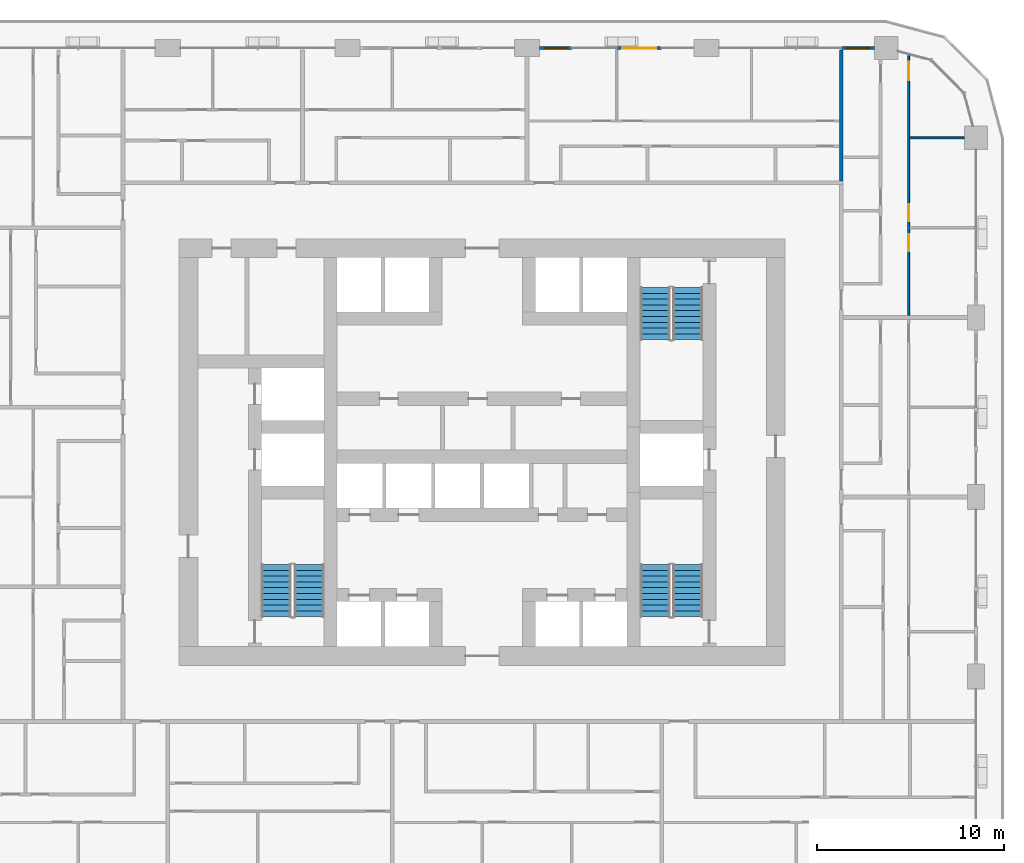
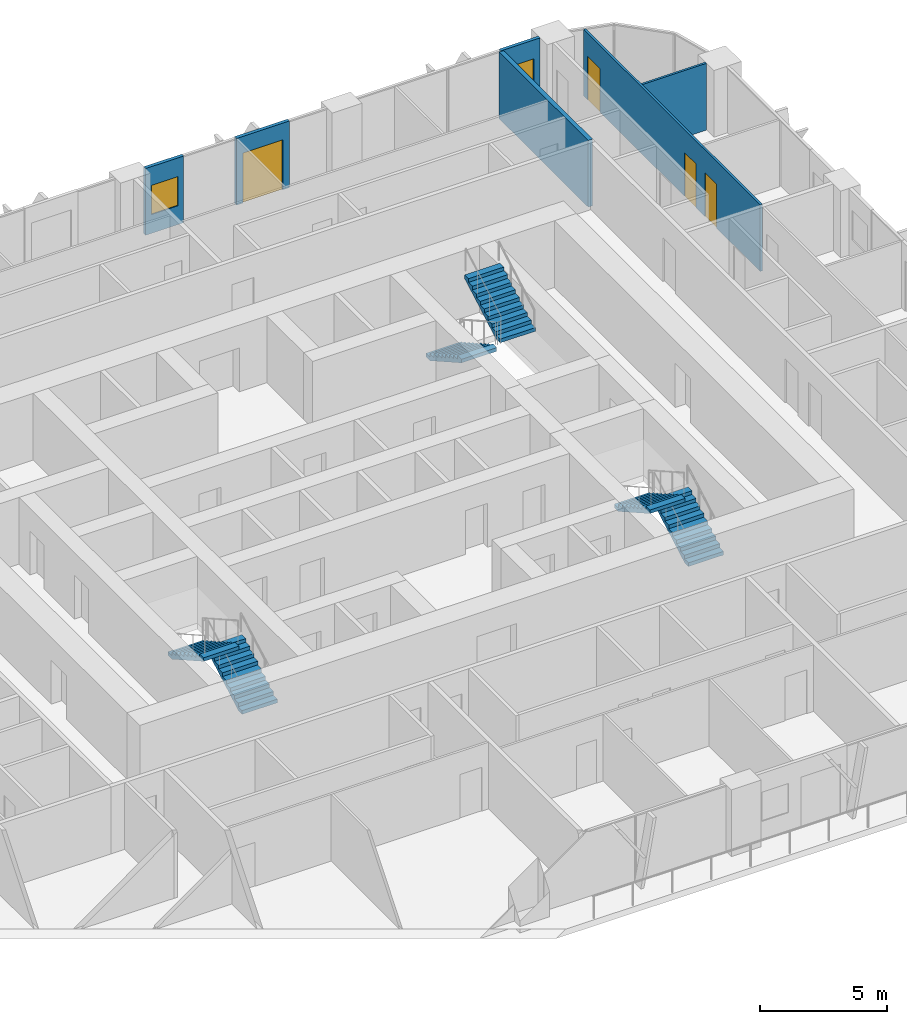
# One storey, part 15 of 21: 6 stair flights, 6 walls, 4 doors, 2 windows, 6 openings, 3 elements without a shape of their own.
"""IFC4 building model written with IfcOpenShell, lengths in metres."""

from ifc_helpers import new_model, si_unit, direction, frame, frame_2d, origin, place, context, subcontext, project, spatial, polyline, rectangle, outline, extrude, material, layer, layer_set, type_object, element, fill, aggregate, save


model = new_model("IFC4")

# Units and contexts
model_context = context("Model", 3, precision=1e-05, world=origin(), true_north=direction((0.0, 1.0)))
body_context = subcontext(model_context, "Body", "Model", "MODEL_VIEW")
ifc_project = project(units=[si_unit("LENGTHUNIT", "METRE"), si_unit("AREAUNIT", "SQUARE_METRE"), si_unit("VOLUMEUNIT", "CUBIC_METRE"), si_unit("PLANEANGLEUNIT", "RADIAN"), si_unit("MASSUNIT", "GRAM", prefix="KILO")], contexts=[model_context])

# Site, building, storey
site_placement = place(None, origin())
site = spatial("IfcSite", under=ifc_project, at=site_placement, CompositionType="ELEMENT")
building_placement = place(site_placement, origin())
building = spatial("IfcBuilding", under=site, at=building_placement, Name="Madar Terraces", CompositionType="ELEMENT")
storey_placement = place(building_placement, frame((0.0, 0.0, 43.39990234375)))
storey = spatial("IfcBuildingStorey", under=building, at=storey_placement, Name="L10", CompositionType="ELEMENT", Elevation=43.39990234375)

# Wall, opening, window
ifc_material_1 = material(Name="Aluminium composite panel, black, over insulated backing", Category="aluminium")
ifc_layer_1 = layer(ifc_material_1, 0.14990234375)
ifc_layer_set_1 = layer_set([ifc_layer_1], Name="Facade bay panel 150")
wall_type_1 = type_object("IfcWallType", Name="Facade bay panel 150", PredefinedType="SOLIDWALL", material=ifc_layer_set_1)
wall_1_placement = place(storey_placement, frame((52.175048828125, 48.0, 0.0), z_axis=(0.0, 0.0, 1.0), x_axis=(-1.0, 0.0, 0.0)))
wall_1 = element("IfcWall", 1, at=wall_1_placement, inside=storey, type_object=wall_type_1, Name="Facade bay panel", PredefinedType="SOLIDWALL", context=body_context, shape_type="SweptSolid", body=[
    extrude(rectangle(XDim=1.775146484375, YDim=0.14990234375, at=frame_2d((0.8876953125, 0.0))), origin(), (0.0, 0.0, 1.0), 3.2001953125),
])
opening_1_placement = place(wall_1_placement, frame((0.28759765625, 0.0, 0.89990234375)))
opening_1 = element("IfcOpeningElement", 2, at=opening_1_placement, cuts=wall_1, Name="Opening W1", PredefinedType="OPENING", context=body_context, shape_type="SweptSolid", body=[
    extrude(rectangle(XDim=1.199951171875, YDim=1.39990234375, at=frame_2d((0.60009765625, 0.699951171875))), frame((0.0, 0.0849609375, 0.0), z_axis=(0.0, -1.0, 0.0), x_axis=(1.0, 0.0, 0.0)), (0.0, 0.0, 1.0), 0.169921875),
])
ifc_material_2 = material(Name="Glass, clear, with black aluminium frame", Category="aluminium")
window_type = type_object("IfcWindowType", Name="Vent window 1200 x 1400", PartitioningType="SINGLE_PANEL", PredefinedType="WINDOW", material=ifc_material_2)
window_1_placement = place(opening_1_placement, origin())
window_1 = element("IfcWindow", 3, at=window_1_placement, inside=storey, type_object=window_type, Name="Operable vent window", OverallHeight=1.39990234375, OverallWidth=1.199951171875, PartitioningType="SINGLE_PANEL", PredefinedType="WINDOW", context=body_context, shape_type="SweptSolid", body=[
    extrude(rectangle(XDim=1.199951171875, YDim=1.39990234375, at=frame_2d((0.60009765625, 0.699951171875))), frame((0.0, 0.030029296875, 0.0), z_axis=(0.0, -1.0, 0.0), x_axis=(1.0, 0.0, 0.0)), (0.0, 0.0, 1.0), 0.06005859375),
])
fill(opening_1, window_1)

# Wall, opening, door
wall_2_placement = place(storey_placement, frame((40.800048828125, 48.0, 0.0), z_axis=(0.0, 0.0, 1.0), x_axis=(-1.0, 0.0, 0.0)))
wall_2 = element("IfcWall", 4, at=wall_2_placement, inside=storey, type_object=wall_type_1, Name="Facade bay panel", PredefinedType="SOLIDWALL", context=body_context, shape_type="SweptSolid", body=[
    extrude(rectangle(XDim=2.400146484375, YDim=0.14990234375, at=frame_2d((1.2001953125, 0.0))), origin(), (0.0, 0.0, 1.0), 3.2001953125),
])
opening_2_placement = place(wall_2_placement, frame((0.300048828125, 0.0, 0.0)))
opening_2 = element("IfcOpeningElement", 5, at=opening_2_placement, cuts=wall_2, Name="Opening ED1", PredefinedType="OPENING", context=body_context, shape_type="SweptSolid", body=[
    extrude(rectangle(XDim=1.800048828125, YDim=2.39990234375, at=frame_2d((0.89990234375, 1.199951171875))), frame((0.0, 0.0849609375, 0.0), z_axis=(0.0, -1.0, 0.0), x_axis=(1.0, 0.0, 0.0)), (0.0, 0.0, 1.0), 0.169921875),
])
ifc_material_3 = material(Name="Glass, clear, with black aluminium frame", Category="aluminium")
door_type_1 = type_object("IfcDoorType", Name="Balcony and terrace sliding door 1800 x 2400", OperationType="SLIDING_TO_LEFT", PredefinedType="DOOR", material=ifc_material_3)
door_1_placement = place(opening_2_placement, origin())
door_1 = element("IfcDoor", 6, at=door_1_placement, inside=storey, type_object=door_type_1, Name="Balcony door", OperationType="SLIDING_TO_RIGHT", OverallHeight=2.39990234375, OverallWidth=1.800048828125, PredefinedType="DOOR", context=body_context, shape_type="SweptSolid", body=[
    extrude(rectangle(XDim=1.800048828125, YDim=2.39990234375, at=frame_2d((0.89990234375, 1.199951171875))), frame((0.0, 0.02490234375, 0.0), z_axis=(0.0, -1.0, 0.0), x_axis=(1.0, 0.0, 0.0)), (0.0, 0.0, 1.0), 0.050048828125),
])
fill(opening_2, door_1)

# Wall, opening, window
wall_3_placement = place(storey_placement, frame((36.0, 48.0, 0.0), z_axis=(0.0, 0.0, 1.0), x_axis=(-1.0, 0.0, 0.0)))
wall_3 = element("IfcWall", 7, at=wall_3_placement, inside=storey, type_object=wall_type_1, Name="Facade bay panel", PredefinedType="SOLIDWALL", context=body_context, shape_type="SweptSolid", body=[
    extrude(rectangle(XDim=1.72509765625, YDim=0.14990234375, at=frame_2d((0.862548828125, 0.0))), origin(), (0.0, 0.0, 1.0), 3.2001953125),
])
opening_3_placement = place(wall_3_placement, frame((0.262451171875, 0.0, 0.89990234375)))
opening_3 = element("IfcOpeningElement", 8, at=opening_3_placement, cuts=wall_3, Name="Opening W1", PredefinedType="OPENING", context=body_context, shape_type="SweptSolid", body=[
    extrude(rectangle(XDim=1.199951171875, YDim=1.39990234375, at=frame_2d((0.60009765625, 0.699951171875))), frame((0.0, 0.0849609375, 0.0), z_axis=(0.0, -1.0, 0.0), x_axis=(1.0, 0.0, 0.0)), (0.0, 0.0, 1.0), 0.169921875),
])
window_2_placement = place(opening_3_placement, origin())
window_2 = element("IfcWindow", 9, at=window_2_placement, inside=storey, type_object=window_type, Name="Operable vent window", OverallHeight=1.39990234375, OverallWidth=1.199951171875, PartitioningType="SINGLE_PANEL", PredefinedType="WINDOW", context=body_context, shape_type="SweptSolid", body=[
    extrude(rectangle(XDim=1.199951171875, YDim=1.39990234375, at=frame_2d((0.60009765625, 0.699951171875))), frame((0.0, 0.030029296875, 0.0), z_axis=(0.0, -1.0, 0.0), x_axis=(1.0, 0.0, 0.0)), (0.0, 0.0, 1.0), 0.06005859375),
])
fill(opening_3, window_2)

# Wall
ifc_material_4 = material(Name="Gypsum board on steel studs", Category="steel")
ifc_layer_2 = layer(ifc_material_4, 0.10009765625)
ifc_layer_set_2 = layer_set([ifc_layer_2], Name="Flat partition 100")
wall_type_2 = type_object("IfcWallType", Name="Flat partition 100", PredefinedType="PARTITIONING", material=ifc_layer_set_2)
wall_4_placement = place(storey_placement, frame((54.050048828125, 43.199951171875, 0.0), z_axis=(0.0, 0.0, 1.0), x_axis=(1.0, 0.0, 0.0)))
element("IfcWall", 10, at=wall_4_placement, inside=storey, type_object=wall_type_2, Name="Flat partition 100", PredefinedType="PARTITIONING", context=body_context, shape_type="SweptSolid", body=[
    extrude(rectangle(XDim=2.925048828125, YDim=0.10009765625, at=frame_2d((1.46240234375, 0.0))), origin(), (0.0, 0.0, 1.0), 3.2001953125),
])

# Wall, openings, doors
wall_5_placement = place(storey_placement, frame((54.0, 47.57861328125, 0.0), z_axis=(0.0, 0.0, 1.0), x_axis=(0.0, -1.0, 0.0)))
wall_5 = element("IfcWall", 11, at=wall_5_placement, inside=storey, type_object=wall_type_2, Name="Flat partition 100", PredefinedType="PARTITIONING", context=body_context, shape_type="SweptSolid", body=[
    extrude(rectangle(XDim=13.878662109375, YDim=0.10009765625, at=frame_2d((6.939453125, 0.0))), origin(), (0.0, 0.0, 1.0), 3.2001953125),
])
opening_4_placement = place(wall_5_placement, frame((9.528564453125, 0.0, 0.0)))
opening_4 = element("IfcOpeningElement", 12, at=opening_4_placement, cuts=wall_5, Name="Opening D2", PredefinedType="OPENING", context=body_context, shape_type="SweptSolid", body=[
    extrude(rectangle(XDim=0.89990234375, YDim=2.10009765625, at=frame_2d((0.449951171875, 1.050048828125))), frame((0.0, 0.06005859375, 0.0), z_axis=(0.0, -1.0, 0.0), x_axis=(1.0, 0.0, 0.0)), (0.0, 0.0, 1.0), 0.1201171875),
])
opening_5_placement = place(wall_5_placement, frame((7.928466796875, 0.0, 0.0)))
opening_5 = element("IfcOpeningElement", 13, at=opening_5_placement, cuts=wall_5, Name="Opening D2", PredefinedType="OPENING", context=body_context, shape_type="SweptSolid", body=[
    extrude(rectangle(XDim=0.89990234375, YDim=2.10009765625, at=frame_2d((0.449951171875, 1.050048828125))), frame((0.0, 0.06005859375, 0.0), z_axis=(0.0, -1.0, 0.0), x_axis=(1.0, 0.0, 0.0)), (0.0, 0.0, 1.0), 0.1201171875),
])
opening_6_placement = place(wall_5_placement, frame((0.300048828125, 0.0, 0.0)))
opening_6 = element("IfcOpeningElement", 14, at=opening_6_placement, cuts=wall_5, Name="Opening D3", PredefinedType="OPENING", context=body_context, shape_type="SweptSolid", body=[
    extrude(rectangle(XDim=1.0, YDim=2.10009765625, at=frame_2d((0.5, 1.050048828125))), frame((0.0, 0.06005859375, 0.0), z_axis=(0.0, -1.0, 0.0), x_axis=(1.0, 0.0, 0.0)), (0.0, 0.0, 1.0), 0.1201171875),
])
ifc_material_5 = material(Name="Timber door leaf", Category="wood")
door_type_2 = type_object("IfcDoorType", Name="Flat living room door 1000", OperationType="NOTDEFINED", PredefinedType="DOOR", material=ifc_material_5)
door_2_placement = place(opening_6_placement, origin())
door_2 = element("IfcDoor", 15, at=door_2_placement, inside=storey, type_object=door_type_2, Name="Flat living room door 1000", OperationType="SINGLE_SWING_LEFT", OverallHeight=2.10009765625, OverallWidth=1.0, PredefinedType="DOOR", context=body_context, shape_type="SweptSolid", body=[
    extrude(rectangle(XDim=1.0, YDim=2.10009765625, at=frame_2d((0.5, 1.050048828125))), frame((0.0, 0.02490234375, 0.0), z_axis=(0.0, -1.0, 0.0), x_axis=(1.0, 0.0, 0.0)), (0.0, 0.0, 1.0), 0.050048828125),
])
fill(opening_6, door_2)
ifc_material_6 = material(Name="Timber door leaf", Category="wood")
door_type_3 = type_object("IfcDoorType", Name="Flat room door 900", OperationType="NOTDEFINED", PredefinedType="DOOR", material=ifc_material_6)
door_3_placement = place(opening_4_placement, origin())
door_3 = element("IfcDoor", 16, at=door_3_placement, inside=storey, type_object=door_type_3, Name="Flat room door 900", OperationType="SINGLE_SWING_LEFT", OverallHeight=2.10009765625, OverallWidth=0.89990234375, PredefinedType="DOOR", context=body_context, shape_type="SweptSolid", body=[
    extrude(rectangle(XDim=0.89990234375, YDim=2.10009765625, at=frame_2d((0.449951171875, 1.050048828125))), frame((0.0, 0.02490234375, 0.0), z_axis=(0.0, -1.0, 0.0), x_axis=(1.0, 0.0, 0.0)), (0.0, 0.0, 1.0), 0.050048828125),
])
fill(opening_4, door_3)
door_4_placement = place(opening_5_placement, origin())
door_4 = element("IfcDoor", 17, at=door_4_placement, inside=storey, type_object=door_type_3, Name="Flat room door 900", OperationType="SINGLE_SWING_RIGHT", OverallHeight=2.10009765625, OverallWidth=0.89990234375, PredefinedType="DOOR", context=body_context, shape_type="SweptSolid", body=[
    extrude(rectangle(XDim=0.89990234375, YDim=2.10009765625, at=frame_2d((0.449951171875, 1.050048828125))), frame((0.0, 0.02490234375, 0.0), z_axis=(0.0, -1.0, 0.0), x_axis=(1.0, 0.0, 0.0)), (0.0, 0.0, 1.0), 0.050048828125),
])
fill(opening_5, door_4)

# Wall
ifc_material_7 = material(Name="Lightweight blockwork", Category="masonry")
ifc_layer_3 = layer(ifc_material_7, 0.199951171875)
ifc_layer_set_3 = layer_set([ifc_layer_3], Name="Flat party and entrance wall 200")
wall_type_3 = type_object("IfcWallType", Name="Flat party and entrance wall 200", PredefinedType="PARTITIONING", material=ifc_layer_set_3)
wall_6_placement = place(storey_placement, frame((50.39990234375, 40.89990234375, 0.0), z_axis=(0.0, 0.0, 1.0), x_axis=(0.0, 1.0, 0.0)))
element("IfcWall", 18, at=wall_6_placement, inside=storey, type_object=wall_type_3, Name="Flat party and entrance wall 200", PredefinedType="PARTITIONING", context=body_context, shape_type="SweptSolid", body=[
    extrude(rectangle(XDim=7.0, YDim=0.199951171875, at=frame_2d((3.5, 0.0))), origin(), (0.0, 0.0, 1.0), 3.2001953125),
])

# Stair, stair flights
ifc_material_8 = material(Name="Concrete C50/60", Category="concrete")
stair_type_1 = type_object("IfcStairType", Name="Stair ST1 protected exit", PredefinedType="HALF_TURN_STAIR", material=ifc_material_8)
stair_1_placement = place(storey_placement, origin())
stair_1 = element("IfcStair", 19, at=stair_1_placement, inside=storey, type_object=stair_type_1, Name="L10 Protected Exit Stair ST1", PredefinedType="HALF_TURN_STAIR")
ifc_material_9 = material(Name="Concrete C50/60", Category="concrete")
stair_flight_type_1 = type_object("IfcStairFlightType", Name="Stair flight ST1-F4, 1600 wide, 10 risers", PredefinedType="STRAIGHT", material=ifc_material_9)
stair_flight_1_placement = place(storey_placement, frame((21.949951171875, 17.60009765625, 0.0), z_axis=(0.0, 0.0, 1.0), x_axis=(0.0, 1.0, 0.0)))
stair_flight_1 = element("IfcStairFlight", 20, at=stair_flight_1_placement, type_object=stair_flight_type_1, Name="ST1 flight 1", NumberOfRisers=10, NumberOfTreads=9, PredefinedType="STRAIGHT", RiserHeight=0.175, TreadLength=0.31, context=body_context, shape_type="SweptSolid", body=[
    extrude(outline(polyline([(0.0, 0.0), (0.0, 0.175048828125), (0.31005859375, 0.175048828125), (0.31005859375, 0.35009765625), (0.6201171875, 0.35009765625), (0.6201171875, 0.52490234375), (0.929931640625, 0.52490234375), (0.929931640625, 0.699951171875), (1.239990234375, 0.699951171875), (1.239990234375, 0.875), (1.550048828125, 0.875), (1.550048828125, 1.050048828125), (1.860107421875, 1.050048828125), (1.860107421875, 1.22509765625), (2.169921875, 1.22509765625), (2.169921875, 1.39990234375), (2.47998046875, 1.39990234375), (2.47998046875, 1.574951171875), (2.7900390625, 1.574951171875), (2.7900390625, 1.75), (2.7900390625, 1.40283203125), (0.304931640625, 0.0), (0.0, 0.0)])), frame((0.0, 0.800048828125, 0.0), z_axis=(0.0, -1.0, 0.0), x_axis=(1.0, 0.0, 0.0)), (0.0, 0.0, 1.0), 1.60009765625),
])
stair_flight_2_placement = place(storey_placement, frame((20.199951171875, 20.389892578125, 1.75), z_axis=(0.0, 0.0, 1.0), x_axis=(0.0, -1.0, 0.0)))
stair_flight_2 = element("IfcStairFlight", 21, at=stair_flight_2_placement, type_object=stair_flight_type_1, Name="ST1 flight 2", NumberOfRisers=10, NumberOfTreads=9, PredefinedType="STRAIGHT", RiserHeight=0.175, TreadLength=0.31, context=body_context, shape_type="SweptSolid", body=[
    extrude(outline(polyline([(0.0, 0.0), (0.0, 0.175048828125), (0.31005859375, 0.175048828125), (0.31005859375, 0.35009765625), (0.6201171875, 0.35009765625), (0.6201171875, 0.52490234375), (0.929931640625, 0.52490234375), (0.929931640625, 0.699951171875), (1.239990234375, 0.699951171875), (1.239990234375, 0.875), (1.550048828125, 0.875), (1.550048828125, 1.050048828125), (1.860107421875, 1.050048828125), (1.860107421875, 1.22509765625), (2.169921875, 1.22509765625), (2.169921875, 1.39990234375), (2.47998046875, 1.39990234375), (2.47998046875, 1.574951171875), (2.7900390625, 1.574951171875), (2.7900390625, 1.75), (2.7900390625, 1.40283203125), (0.304931640625, 0.0), (0.0, 0.0)])), frame((0.0, 0.800048828125, 0.0), z_axis=(0.0, -1.0, 0.0), x_axis=(1.0, 0.0, 0.0)), (0.0, 0.0, 1.0), 1.60009765625),
])
aggregate(stair_1, [stair_flight_1, stair_flight_2])

ifc_material_10 = material(Name="Concrete C50/60", Category="concrete")
stair_type_2 = type_object("IfcStairType", Name="Stair ST2 protected exit", PredefinedType="HALF_TURN_STAIR", material=ifc_material_10)
stair_2_placement = place(storey_placement, origin())
stair_2 = element("IfcStair", 22, at=stair_2_placement, inside=storey, type_object=stair_type_2, Name="L10 Protected Exit Stair ST2", PredefinedType="HALF_TURN_STAIR")
ifc_material_11 = material(Name="Concrete C50/60", Category="concrete")
stair_flight_type_2 = type_object("IfcStairFlightType", Name="Stair flight ST2-F4, 1600 wide, 10 risers", PredefinedType="STRAIGHT", material=ifc_material_11)
stair_flight_3_placement = place(storey_placement, frame((40.449951171875, 35.199951171875, 0.0), z_axis=(0.0, 0.0, 1.0), x_axis=(0.0, -1.0, 0.0)))
stair_flight_3 = element("IfcStairFlight", 23, at=stair_flight_3_placement, type_object=stair_flight_type_2, Name="ST2 flight 1", NumberOfRisers=10, NumberOfTreads=9, PredefinedType="STRAIGHT", RiserHeight=0.175, TreadLength=0.31, context=body_context, shape_type="SweptSolid", body=[
    extrude(outline(polyline([(0.0, 0.0), (0.0, 0.175048828125), (0.31005859375, 0.175048828125), (0.31005859375, 0.35009765625), (0.6201171875, 0.35009765625), (0.6201171875, 0.52490234375), (0.929931640625, 0.52490234375), (0.929931640625, 0.699951171875), (1.239990234375, 0.699951171875), (1.239990234375, 0.875), (1.550048828125, 0.875), (1.550048828125, 1.050048828125), (1.860107421875, 1.050048828125), (1.860107421875, 1.22509765625), (2.169921875, 1.22509765625), (2.169921875, 1.39990234375), (2.47998046875, 1.39990234375), (2.47998046875, 1.574951171875), (2.7900390625, 1.574951171875), (2.7900390625, 1.75), (2.7900390625, 1.40283203125), (0.304931640625, 0.0), (0.0, 0.0)])), frame((0.0, 0.800048828125, 0.0), z_axis=(0.0, -1.0, 0.0), x_axis=(1.0, 0.0, 0.0)), (0.0, 0.0, 1.0), 1.60009765625),
])
stair_flight_4_placement = place(storey_placement, frame((42.199951171875, 32.409912109375, 1.75), z_axis=(0.0, 0.0, 1.0), x_axis=(0.0, 1.0, 0.0)))
stair_flight_4 = element("IfcStairFlight", 24, at=stair_flight_4_placement, type_object=stair_flight_type_2, Name="ST2 flight 2", NumberOfRisers=10, NumberOfTreads=9, PredefinedType="STRAIGHT", RiserHeight=0.175, TreadLength=0.31, context=body_context, shape_type="SweptSolid", body=[
    extrude(outline(polyline([(0.0, 0.0), (0.0, 0.175048828125), (0.31005859375, 0.175048828125), (0.31005859375, 0.35009765625), (0.6201171875, 0.35009765625), (0.6201171875, 0.52490234375), (0.929931640625, 0.52490234375), (0.929931640625, 0.699951171875), (1.239990234375, 0.699951171875), (1.239990234375, 0.875), (1.550048828125, 0.875), (1.550048828125, 1.050048828125), (1.860107421875, 1.050048828125), (1.860107421875, 1.22509765625), (2.169921875, 1.22509765625), (2.169921875, 1.39990234375), (2.47998046875, 1.39990234375), (2.47998046875, 1.574951171875), (2.7900390625, 1.574951171875), (2.7900390625, 1.75), (2.7900390625, 1.40283203125), (0.304931640625, 0.0), (0.0, 0.0)])), frame((0.0, 0.800048828125, 0.0), z_axis=(0.0, -1.0, 0.0), x_axis=(1.0, 0.0, 0.0)), (0.0, 0.0, 1.0), 1.60009765625),
])
aggregate(stair_2, [stair_flight_3, stair_flight_4])

ifc_material_12 = material(Name="Concrete C50/60", Category="concrete")
stair_type_3 = type_object("IfcStairType", Name="Stair ST3 protected exit", PredefinedType="HALF_TURN_STAIR", material=ifc_material_12)
stair_3_placement = place(storey_placement, origin())
stair_3 = element("IfcStair", 25, at=stair_3_placement, inside=storey, type_object=stair_type_3, Name="L10 Protected Exit Stair ST3", PredefinedType="HALF_TURN_STAIR")
ifc_material_13 = material(Name="Concrete C50/60", Category="concrete")
stair_flight_type_3 = type_object("IfcStairFlightType", Name="Stair flight ST3-F4, 1600 wide, 10 risers", PredefinedType="STRAIGHT", material=ifc_material_13)
stair_flight_5_placement = place(storey_placement, frame((42.199951171875, 17.60009765625, 0.0), z_axis=(0.0, 0.0, 1.0), x_axis=(0.0, 1.0, 0.0)))
stair_flight_5 = element("IfcStairFlight", 26, at=stair_flight_5_placement, type_object=stair_flight_type_3, Name="ST3 flight 1", NumberOfRisers=10, NumberOfTreads=9, PredefinedType="STRAIGHT", RiserHeight=0.175, TreadLength=0.31, context=body_context, shape_type="SweptSolid", body=[
    extrude(outline(polyline([(0.0, 0.0), (0.0, 0.175048828125), (0.31005859375, 0.175048828125), (0.31005859375, 0.35009765625), (0.6201171875, 0.35009765625), (0.6201171875, 0.52490234375), (0.929931640625, 0.52490234375), (0.929931640625, 0.699951171875), (1.239990234375, 0.699951171875), (1.239990234375, 0.875), (1.550048828125, 0.875), (1.550048828125, 1.050048828125), (1.860107421875, 1.050048828125), (1.860107421875, 1.22509765625), (2.169921875, 1.22509765625), (2.169921875, 1.39990234375), (2.47998046875, 1.39990234375), (2.47998046875, 1.574951171875), (2.7900390625, 1.574951171875), (2.7900390625, 1.75), (2.7900390625, 1.40283203125), (0.304931640625, 0.0), (0.0, 0.0)])), frame((0.0, 0.800048828125, 0.0), z_axis=(0.0, -1.0, 0.0), x_axis=(1.0, 0.0, 0.0)), (0.0, 0.0, 1.0), 1.60009765625),
])
stair_flight_6_placement = place(storey_placement, frame((40.449951171875, 20.389892578125, 1.75), z_axis=(0.0, 0.0, 1.0), x_axis=(0.0, -1.0, 0.0)))
stair_flight_6 = element("IfcStairFlight", 27, at=stair_flight_6_placement, type_object=stair_flight_type_3, Name="ST3 flight 2", NumberOfRisers=10, NumberOfTreads=9, PredefinedType="STRAIGHT", RiserHeight=0.175, TreadLength=0.31, context=body_context, shape_type="SweptSolid", body=[
    extrude(outline(polyline([(0.0, 0.0), (0.0, 0.175048828125), (0.31005859375, 0.175048828125), (0.31005859375, 0.35009765625), (0.6201171875, 0.35009765625), (0.6201171875, 0.52490234375), (0.929931640625, 0.52490234375), (0.929931640625, 0.699951171875), (1.239990234375, 0.699951171875), (1.239990234375, 0.875), (1.550048828125, 0.875), (1.550048828125, 1.050048828125), (1.860107421875, 1.050048828125), (1.860107421875, 1.22509765625), (2.169921875, 1.22509765625), (2.169921875, 1.39990234375), (2.47998046875, 1.39990234375), (2.47998046875, 1.574951171875), (2.7900390625, 1.574951171875), (2.7900390625, 1.75), (2.7900390625, 1.40283203125), (0.304931640625, 0.0), (0.0, 0.0)])), frame((0.0, 0.800048828125, 0.0), z_axis=(0.0, -1.0, 0.0), x_axis=(1.0, 0.0, 0.0)), (0.0, 0.0, 1.0), 1.60009765625),
])
aggregate(stair_3, [stair_flight_5, stair_flight_6])

save(model, "model.ifc")
